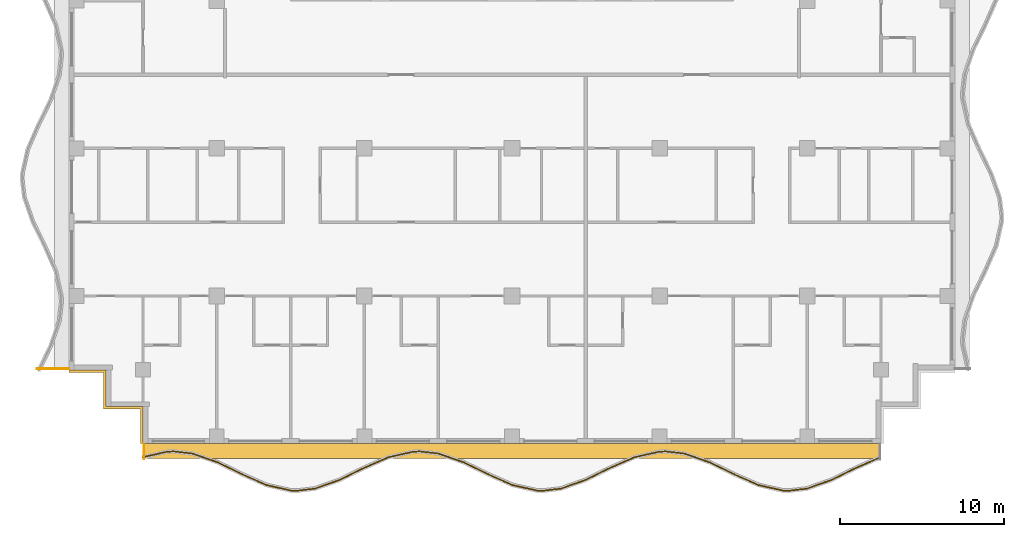
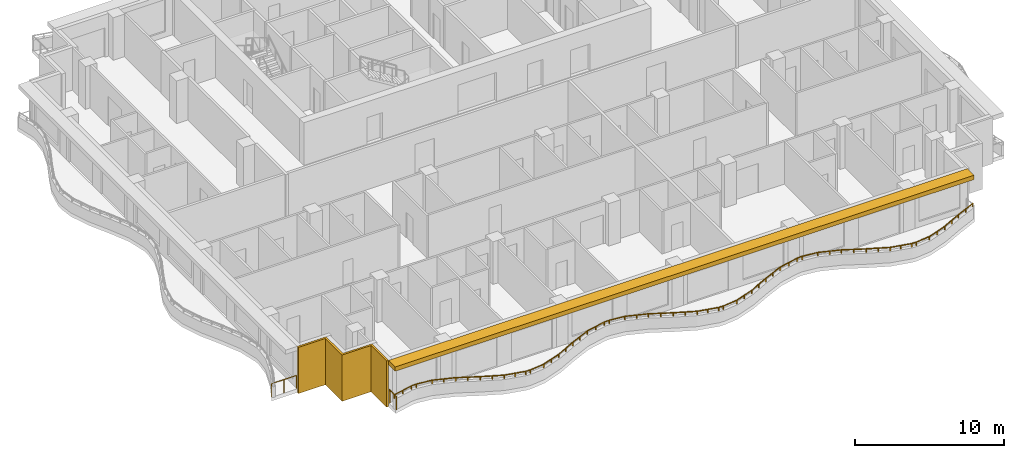
# One storey, part 8 of 11: 3 railings, 2 shading devices.
"""IFC4 building model written with IfcOpenShell, lengths in metres."""

from ifc_helpers import new_model, si_unit, direction, frame, origin, origin_2d, place, context, subcontext, project, spatial, polyline, rectangle, outline, extrude, material, layer, layer_set, type_object, element, save


model = new_model("IFC4")

# Units and contexts
model_context = context("Model", 3, precision=1e-05, world=origin(), true_north=direction((0.0, 1.0)))
body_context = subcontext(model_context, "Body", "Model", "MODEL_VIEW")
ifc_project = project(units=[si_unit("LENGTHUNIT", "METRE"), si_unit("AREAUNIT", "SQUARE_METRE"), si_unit("VOLUMEUNIT", "CUBIC_METRE"), si_unit("PLANEANGLEUNIT", "RADIAN"), si_unit("MASSUNIT", "GRAM", prefix="KILO")], contexts=[model_context])

# Site, building, storey
site_placement = place(None, origin())
site = spatial("IfcSite", under=ifc_project, at=site_placement, CompositionType="ELEMENT")
building_placement = place(site_placement, origin())
building = spatial("IfcBuilding", under=site, at=building_placement, Name="Orbiselva Terraces", CompositionType="ELEMENT")
storey_placement = place(building_placement, frame((0.0, 0.0, 261.6)))
storey = spatial("IfcBuildingStorey", under=building, at=storey_placement, Name="L66", CompositionType="ELEMENT", Elevation=261.6)

# Railings
ifc_material_1 = material(Name="Bonded two-ply safety glass balustrade, stainless steel posts", Category="steel")
railing_type_1 = type_object("IfcRailingType", Name="ENV-BALUSTRADE-1200", PredefinedType="BALUSTRADE", material=ifc_material_1)
railing_1_placement = place(storey_placement, frame((-22.527377, -23.329507, 0.9)))
element("IfcRailing", 1, at=railing_1_placement, inside=storey, type_object=railing_type_1, Name="Balcony balustrade L66 S", PredefinedType="BALUSTRADE", context=body_context, shape_type="SweptSolid", body=[
    extrude(outline(polyline([(0.028868, 0.0), (0.014434, 0.025), (-0.014434, 0.025), (-0.028868, 0.0), (-0.014434, -0.025), (0.014434, -0.025), (0.028868, 0.0)])), frame((0.0, 0.0, 0.275), z_axis=(0.97572138316, 0.219015484484, 0.0), x_axis=(-0.219015484484, 0.97572138316, 0.0)), (0.0, 0.0, 1.0), 1.548694),
    extrude(outline(polyline([(0.028868, 0.0), (0.014434, 0.025), (-0.014434, 0.025), (-0.028868, 0.0), (-0.014434, -0.025), (0.014434, -0.025), (0.028868, 0.0)])), frame((1.511094, 0.339188, 0.275), z_axis=(0.999224734286, 0.03936915532, 0.0), x_axis=(-0.03936915532, 0.999224734286, 0.0)), (0.0, 0.0, 1.0), 0.396376),
    extrude(outline(polyline([(0.028868, 0.0), (0.014434, 0.025), (-0.014434, 0.025), (-0.028868, 0.0), (-0.014434, -0.025), (0.014434, -0.025), (0.028868, 0.0)])), frame((1.907163, 0.354793, 0.275), z_axis=(0.993309551734, -0.115482182324, 0.0), x_axis=(0.115482182324, 0.993309551734, 0.0)), (0.0, 0.0, 1.0), 1.156135),
    extrude(outline(polyline([(0.028868, 0.0), (0.014434, 0.025), (-0.014434, 0.025), (-0.028868, 0.0), (-0.014434, -0.025), (0.014434, -0.025), (0.028868, 0.0)])), frame((3.055563, 0.22128, 0.275), z_axis=(0.943972332783, -0.330024597479, 0.0), x_axis=(0.330024597479, 0.943972332783, 0.0)), (0.0, 0.0, 1.0), 1.610253),
    extrude(outline(polyline([(0.028868, 0.0), (0.014434, 0.025), (-0.014434, 0.025), (-0.028868, 0.0), (-0.014434, -0.025), (0.014434, -0.025), (0.028868, 0.0)])), frame((4.575597, -0.310143, 0.275), z_axis=(0.898578870221, -0.438812048596, 0.0), x_axis=(0.438812048596, 0.898578870221, 0.0)), (0.0, 0.0, 1.0), 1.674225),
    extrude(outline(polyline([(0.028868, 0.0), (0.014434, 0.025), (-0.014434, 0.025), (-0.028868, 0.0), (-0.014434, -0.025), (0.014434, -0.025), (0.028868, 0.0)])), frame((6.08002, -1.044813, 0.275), z_axis=(0.915133363686, -0.403151245402, 0.0), x_axis=(0.403151245402, 0.915133363686, 0.0)), (0.0, 0.0, 1.0), 1.624475),
    extrude(outline(polyline([(0.028868, 0.0), (0.014434, 0.025), (-0.014434, 0.025), (-0.028868, 0.0), (-0.014434, -0.025), (0.014434, -0.025), (0.028868, 0.0)])), frame((7.566631, -1.699722, 0.275), z_axis=(0.975721325753, -0.219015740235, 0.0), x_axis=(0.219015740235, 0.975721325753, 0.0)), (0.0, 0.0, 1.0), 1.513782),
    extrude(outline(polyline([(0.028868, 0.0), (0.014434, 0.025), (-0.014434, 0.025), (-0.028868, 0.0), (-0.014434, -0.025), (0.014434, -0.025), (0.028868, 0.0)])), frame((9.04366, -2.031264, 0.275), z_axis=(0.999224931454, -0.039364150694, 0.0), x_axis=(0.039364150694, 0.999224931454, 0.0)), (0.0, 0.0, 1.0), 0.354206),
    extrude(outline(polyline([(0.028868, 0.0), (0.014434, 0.025), (-0.014434, 0.025), (-0.028868, 0.0), (-0.014434, -0.025), (0.014434, -0.025), (0.028868, 0.0)])), frame((9.397591, -2.045207, 0.275), z_axis=(0.993309658409, 0.115481264762, 0.0), x_axis=(-0.115481264762, 0.993309658409, 0.0)), (0.0, 0.0, 1.0), 1.10902),
    extrude(outline(polyline([(0.028868, 0.0), (0.014434, 0.025), (-0.014434, 0.025), (-0.028868, 0.0), (-0.014434, -0.025), (0.014434, -0.025), (0.028868, 0.0)])), frame((10.499191, -1.917136, 0.275), z_axis=(0.943972277814, 0.330024754707, 0.0), x_axis=(-0.330024754707, 0.943972277814, 0.0)), (0.0, 0.0, 1.0), 1.567807),
    extrude(outline(polyline([(0.028868, 0.0), (0.014434, 0.025), (-0.014434, 0.025), (-0.028868, 0.0), (-0.014434, -0.025), (0.014434, -0.025), (0.028868, 0.0)])), frame((11.979157, -1.399721, 0.275), z_axis=(0.89857890432, 0.438811978768, 0.0), x_axis=(-0.438811978768, 0.89857890432, 0.0)), (0.0, 0.0, 1.0), 1.66438),
    extrude(outline(polyline([(0.028868, 0.0), (0.014434, 0.025), (-0.014434, 0.025), (-0.028868, 0.0), (-0.014434, -0.025), (0.014434, -0.025), (0.028868, 0.0)])), frame((13.474734, -0.669371, 0.275), z_axis=(0.915133527237, 0.403150874148, 0.0), x_axis=(-0.403150874148, 0.915133527237, 0.0)), (0.0, 0.0, 1.0), 1.653736),
    extrude(outline(polyline([(0.028868, 0.0), (0.014434, 0.025), (-0.014434, 0.025), (-0.028868, 0.0), (-0.014434, -0.025), (0.014434, -0.025), (0.028868, 0.0)])), frame((14.988123, -0.002666, 0.275), z_axis=(0.97572137947, 0.219015500924, 0.0), x_axis=(-0.219015500924, 0.97572137947, 0.0)), (0.0, 0.0, 1.0), 1.560867),
    extrude(outline(polyline([(0.028868, 0.0), (0.014434, 0.025), (-0.014434, 0.025), (-0.028868, 0.0), (-0.014434, -0.025), (0.014434, -0.025), (0.028868, 0.0)])), frame((16.511094, 0.339188, 0.275), z_axis=(0.999224734286, 0.03936915532, 0.0), x_axis=(-0.03936915532, 0.999224734286, 0.0)), (0.0, 0.0, 1.0), 0.396376),
    extrude(outline(polyline([(0.028868, 0.0), (0.014434, 0.025), (-0.014434, 0.025), (-0.028868, 0.0), (-0.014434, -0.025), (0.014434, -0.025), (0.028868, 0.0)])), frame((16.907163, 0.354793, 0.275), z_axis=(0.993309551734, -0.115482182324, 0.0), x_axis=(0.115482182324, 0.993309551734, 0.0)), (0.0, 0.0, 1.0), 1.156135),
    extrude(outline(polyline([(0.028868, 0.0), (0.014434, 0.025), (-0.014434, 0.025), (-0.028868, 0.0), (-0.014434, -0.025), (0.014434, -0.025), (0.028868, 0.0)])), frame((18.055563, 0.22128, 0.275), z_axis=(0.943972332783, -0.330024597479, 0.0), x_axis=(0.330024597479, 0.943972332783, 0.0)), (0.0, 0.0, 1.0), 1.610253),
    extrude(outline(polyline([(0.028868, 0.0), (0.014434, 0.025), (-0.014434, 0.025), (-0.028868, 0.0), (-0.014434, -0.025), (0.014434, -0.025), (0.028868, 0.0)])), frame((19.575597, -0.310143, 0.275), z_axis=(0.898578870221, -0.438812048596, 0.0), x_axis=(0.438812048596, 0.898578870221, 0.0)), (0.0, 0.0, 1.0), 1.674225),
    extrude(outline(polyline([(0.028868, 0.0), (0.014434, 0.025), (-0.014434, 0.025), (-0.028868, 0.0), (-0.014434, -0.025), (0.014434, -0.025), (0.028868, 0.0)])), frame((21.08002, -1.044813, 0.275), z_axis=(0.915133363686, -0.403151245402, 0.0), x_axis=(0.403151245402, 0.915133363686, 0.0)), (0.0, 0.0, 1.0), 1.624475),
    extrude(outline(polyline([(0.028868, 0.0), (0.014434, 0.025), (-0.014434, 0.025), (-0.028868, 0.0), (-0.014434, -0.025), (0.014434, -0.025), (0.028868, 0.0)])), frame((22.566631, -1.699722, 0.275), z_axis=(0.975721325753, -0.219015740235, 0.0), x_axis=(0.219015740235, 0.975721325753, 0.0)), (0.0, 0.0, 1.0), 1.513782),
    extrude(outline(polyline([(0.028868, 0.0), (0.014434, 0.025), (-0.014434, 0.025), (-0.028868, 0.0), (-0.014434, -0.025), (0.014434, -0.025), (0.028868, 0.0)])), frame((24.04366, -2.031264, 0.275), z_axis=(0.999224931454, -0.039364150694, 0.0), x_axis=(0.039364150694, 0.999224931454, 0.0)), (0.0, 0.0, 1.0), 0.354206),
    extrude(outline(polyline([(0.028868, 0.0), (0.014434, 0.025), (-0.014434, 0.025), (-0.028868, 0.0), (-0.014434, -0.025), (0.014434, -0.025), (0.028868, 0.0)])), frame((24.397591, -2.045207, 0.275), z_axis=(0.993309658409, 0.115481264762, 0.0), x_axis=(-0.115481264762, 0.993309658409, 0.0)), (0.0, 0.0, 1.0), 1.10902),
    extrude(outline(polyline([(0.028868, 0.0), (0.014434, 0.025), (-0.014434, 0.025), (-0.028868, 0.0), (-0.014434, -0.025), (0.014434, -0.025), (0.028868, 0.0)])), frame((25.499191, -1.917136, 0.275), z_axis=(0.943972277814, 0.330024754707, 0.0), x_axis=(-0.330024754707, 0.943972277814, 0.0)), (0.0, 0.0, 1.0), 1.567807),
    extrude(outline(polyline([(0.028868, 0.0), (0.014434, 0.025), (-0.014434, 0.025), (-0.028868, 0.0), (-0.014434, -0.025), (0.014434, -0.025), (0.028868, 0.0)])), frame((26.979157, -1.399721, 0.275), z_axis=(0.89857890432, 0.438811978768, 0.0), x_axis=(-0.438811978768, 0.89857890432, 0.0)), (0.0, 0.0, 1.0), 1.66438),
    extrude(outline(polyline([(0.028868, 0.0), (0.014434, 0.025), (-0.014434, 0.025), (-0.028868, 0.0), (-0.014434, -0.025), (0.014434, -0.025), (0.028868, 0.0)])), frame((28.474734, -0.669371, 0.275), z_axis=(0.915133527237, 0.403150874148, 0.0), x_axis=(-0.403150874148, 0.915133527237, 0.0)), (0.0, 0.0, 1.0), 1.653736),
    extrude(outline(polyline([(0.028868, 0.0), (0.014434, 0.025), (-0.014434, 0.025), (-0.028868, 0.0), (-0.014434, -0.025), (0.014434, -0.025), (0.028868, 0.0)])), frame((29.988123, -0.002666, 0.275), z_axis=(0.97572137947, 0.219015500924, 0.0), x_axis=(-0.219015500924, 0.97572137947, 0.0)), (0.0, 0.0, 1.0), 1.560867),
    extrude(outline(polyline([(0.028868, 0.0), (0.014434, 0.025), (-0.014434, 0.025), (-0.028868, 0.0), (-0.014434, -0.025), (0.014434, -0.025), (0.028868, 0.0)])), frame((31.511094, 0.339188, 0.275), z_axis=(0.999224734286, 0.03936915532, 0.0), x_axis=(-0.03936915532, 0.999224734286, 0.0)), (0.0, 0.0, 1.0), 0.396376),
    extrude(outline(polyline([(0.028868, 0.0), (0.014434, 0.025), (-0.014434, 0.025), (-0.028868, 0.0), (-0.014434, -0.025), (0.014434, -0.025), (0.028868, 0.0)])), frame((31.907163, 0.354793, 0.275), z_axis=(0.993309551734, -0.115482182324, 0.0), x_axis=(0.115482182324, 0.993309551734, 0.0)), (0.0, 0.0, 1.0), 1.156135),
    extrude(outline(polyline([(0.028868, 0.0), (0.014434, 0.025), (-0.014434, 0.025), (-0.028868, 0.0), (-0.014434, -0.025), (0.014434, -0.025), (0.028868, 0.0)])), frame((33.055563, 0.22128, 0.275), z_axis=(0.943972332783, -0.330024597479, 0.0), x_axis=(0.330024597479, 0.943972332783, 0.0)), (0.0, 0.0, 1.0), 1.610253),
    extrude(outline(polyline([(0.028868, 0.0), (0.014434, 0.025), (-0.014434, 0.025), (-0.028868, 0.0), (-0.014434, -0.025), (0.014434, -0.025), (0.028868, 0.0)])), frame((34.575597, -0.310143, 0.275), z_axis=(0.898578870221, -0.438812048596, 0.0), x_axis=(0.438812048596, 0.898578870221, 0.0)), (0.0, 0.0, 1.0), 1.674225),
    extrude(outline(polyline([(0.028868, 0.0), (0.014434, 0.025), (-0.014434, 0.025), (-0.028868, 0.0), (-0.014434, -0.025), (0.014434, -0.025), (0.028868, 0.0)])), frame((36.08002, -1.044813, 0.275), z_axis=(0.915133363686, -0.403151245402, 0.0), x_axis=(0.403151245402, 0.915133363686, 0.0)), (0.0, 0.0, 1.0), 1.624475),
    extrude(outline(polyline([(0.028868, 0.0), (0.014434, 0.025), (-0.014434, 0.025), (-0.028868, 0.0), (-0.014434, -0.025), (0.014434, -0.025), (0.028868, 0.0)])), frame((37.566631, -1.699722, 0.275), z_axis=(0.975721325753, -0.219015740235, 0.0), x_axis=(0.219015740235, 0.975721325753, 0.0)), (0.0, 0.0, 1.0), 1.513782),
    extrude(outline(polyline([(0.028868, 0.0), (0.014434, 0.025), (-0.014434, 0.025), (-0.028868, 0.0), (-0.014434, -0.025), (0.014434, -0.025), (0.028868, 0.0)])), frame((39.04366, -2.031264, 0.275), z_axis=(0.999224931454, -0.039364150694, 0.0), x_axis=(0.039364150694, 0.999224931454, 0.0)), (0.0, 0.0, 1.0), 0.354206),
    extrude(outline(polyline([(0.028868, 0.0), (0.014434, 0.025), (-0.014434, 0.025), (-0.028868, 0.0), (-0.014434, -0.025), (0.014434, -0.025), (0.028868, 0.0)])), frame((39.397591, -2.045207, 0.275), z_axis=(0.993309658409, 0.115481264762, 0.0), x_axis=(-0.115481264762, 0.993309658409, 0.0)), (0.0, 0.0, 1.0), 1.10902),
    extrude(outline(polyline([(0.028868, 0.0), (0.014434, 0.025), (-0.014434, 0.025), (-0.028868, 0.0), (-0.014434, -0.025), (0.014434, -0.025), (0.028868, 0.0)])), frame((40.499191, -1.917136, 0.275), z_axis=(0.943972277814, 0.330024754707, 0.0), x_axis=(-0.330024754707, 0.943972277814, 0.0)), (0.0, 0.0, 1.0), 1.567807),
    extrude(outline(polyline([(0.028868, 0.0), (0.014434, 0.025), (-0.014434, 0.025), (-0.028868, 0.0), (-0.014434, -0.025), (0.014434, -0.025), (0.028868, 0.0)])), frame((41.979157, -1.399721, 0.275), z_axis=(0.89857890432, 0.438811978768, 0.0), x_axis=(-0.438811978768, 0.89857890432, 0.0)), (0.0, 0.0, 1.0), 1.66438),
    extrude(outline(polyline([(0.028868, 0.0), (0.014434, 0.025), (-0.014434, 0.025), (-0.028868, 0.0), (-0.014434, -0.025), (0.014434, -0.025), (0.028868, 0.0)])), frame((43.474734, -0.669371, 0.275), z_axis=(0.915133394491, 0.403151175476, 0.0), x_axis=(-0.403151175476, 0.915133394491, 0.0)), (0.0, 0.0, 1.0), 1.641563),
    extrude(rectangle(XDim=0.05, YDim=0.05, at=origin_2d()), origin(), (0.0, 0.0, 1.0), 0.25),
    extrude(rectangle(XDim=0.05, YDim=0.05, at=origin_2d()), frame((0.755547, 0.169594, 0.0)), (0.0, 0.0, 1.0), 0.25),
    extrude(rectangle(XDim=0.05, YDim=0.05, at=origin_2d()), frame((1.511094, 0.339188, 0.0)), (0.0, 0.0, 1.0), 0.25),
    extrude(rectangle(XDim=0.05, YDim=0.05, at=origin_2d()), frame((1.907163, 0.354793, 0.0)), (0.0, 0.0, 1.0), 0.25),
    extrude(rectangle(XDim=0.05, YDim=0.05, at=origin_2d()), frame((3.055563, 0.22128, 0.0)), (0.0, 0.0, 1.0), 0.25),
    extrude(rectangle(XDim=0.05, YDim=0.05, at=origin_2d()), frame((3.81558, -0.044431, 0.0)), (0.0, 0.0, 1.0), 0.25),
    extrude(rectangle(XDim=0.05, YDim=0.05, at=origin_2d()), frame((4.575597, -0.310143, 0.0)), (0.0, 0.0, 1.0), 0.25),
    extrude(rectangle(XDim=0.05, YDim=0.05, at=origin_2d()), frame((5.327809, -0.677478, 0.0)), (0.0, 0.0, 1.0), 0.25),
    extrude(rectangle(XDim=0.05, YDim=0.05, at=origin_2d()), frame((6.08002, -1.044813, 0.0)), (0.0, 0.0, 1.0), 0.25),
    extrude(rectangle(XDim=0.05, YDim=0.05, at=origin_2d()), frame((6.823326, -1.372268, 0.0)), (0.0, 0.0, 1.0), 0.25),
    extrude(rectangle(XDim=0.05, YDim=0.05, at=origin_2d()), frame((7.566631, -1.699722, 0.0)), (0.0, 0.0, 1.0), 0.25),
    extrude(rectangle(XDim=0.05, YDim=0.05, at=origin_2d()), frame((8.305146, -1.865493, 0.0)), (0.0, 0.0, 1.0), 0.25),
    extrude(rectangle(XDim=0.05, YDim=0.05, at=origin_2d()), frame((9.04366, -2.031264, 0.0)), (0.0, 0.0, 1.0), 0.25),
    extrude(rectangle(XDim=0.05, YDim=0.05, at=origin_2d()), frame((9.397591, -2.045207, 0.0)), (0.0, 0.0, 1.0), 0.25),
    extrude(rectangle(XDim=0.05, YDim=0.05, at=origin_2d()), frame((10.499191, -1.917136, 0.0)), (0.0, 0.0, 1.0), 0.25),
    extrude(rectangle(XDim=0.05, YDim=0.05, at=origin_2d()), frame((11.239174, -1.658428, 0.0)), (0.0, 0.0, 1.0), 0.25),
    extrude(rectangle(XDim=0.05, YDim=0.05, at=origin_2d()), frame((11.979157, -1.399721, 0.0)), (0.0, 0.0, 1.0), 0.25),
    extrude(rectangle(XDim=0.05, YDim=0.05, at=origin_2d()), frame((12.726946, -1.034546, 0.0)), (0.0, 0.0, 1.0), 0.25),
    extrude(rectangle(XDim=0.05, YDim=0.05, at=origin_2d()), frame((13.474734, -0.669371, 0.0)), (0.0, 0.0, 1.0), 0.25),
    extrude(rectangle(XDim=0.05, YDim=0.05, at=origin_2d()), frame((14.231429, -0.336019, 0.0)), (0.0, 0.0, 1.0), 0.25),
    extrude(rectangle(XDim=0.05, YDim=0.05, at=origin_2d()), frame((14.988123, -0.002666, 0.0)), (0.0, 0.0, 1.0), 0.25),
    extrude(rectangle(XDim=0.05, YDim=0.05, at=origin_2d()), frame((15.749608, 0.168261, 0.0)), (0.0, 0.0, 1.0), 0.25),
    extrude(rectangle(XDim=0.05, YDim=0.05, at=origin_2d()), frame((16.511094, 0.339188, 0.0)), (0.0, 0.0, 1.0), 0.25),
    extrude(rectangle(XDim=0.05, YDim=0.05, at=origin_2d()), frame((16.907163, 0.354793, 0.0)), (0.0, 0.0, 1.0), 0.25),
    extrude(rectangle(XDim=0.05, YDim=0.05, at=origin_2d()), frame((18.055563, 0.22128, 0.0)), (0.0, 0.0, 1.0), 0.25),
    extrude(rectangle(XDim=0.05, YDim=0.05, at=origin_2d()), frame((18.81558, -0.044431, 0.0)), (0.0, 0.0, 1.0), 0.25),
    extrude(rectangle(XDim=0.05, YDim=0.05, at=origin_2d()), frame((19.575597, -0.310143, 0.0)), (0.0, 0.0, 1.0), 0.25),
    extrude(rectangle(XDim=0.05, YDim=0.05, at=origin_2d()), frame((20.327809, -0.677478, 0.0)), (0.0, 0.0, 1.0), 0.25),
    extrude(rectangle(XDim=0.05, YDim=0.05, at=origin_2d()), frame((21.08002, -1.044813, 0.0)), (0.0, 0.0, 1.0), 0.25),
    extrude(rectangle(XDim=0.05, YDim=0.05, at=origin_2d()), frame((21.823326, -1.372268, 0.0)), (0.0, 0.0, 1.0), 0.25),
    extrude(rectangle(XDim=0.05, YDim=0.05, at=origin_2d()), frame((22.566631, -1.699722, 0.0)), (0.0, 0.0, 1.0), 0.25),
    extrude(rectangle(XDim=0.05, YDim=0.05, at=origin_2d()), frame((23.305146, -1.865493, 0.0)), (0.0, 0.0, 1.0), 0.25),
    extrude(rectangle(XDim=0.05, YDim=0.05, at=origin_2d()), frame((24.04366, -2.031264, 0.0)), (0.0, 0.0, 1.0), 0.25),
    extrude(rectangle(XDim=0.05, YDim=0.05, at=origin_2d()), frame((24.397591, -2.045207, 0.0)), (0.0, 0.0, 1.0), 0.25),
    extrude(rectangle(XDim=0.05, YDim=0.05, at=origin_2d()), frame((25.499191, -1.917136, 0.0)), (0.0, 0.0, 1.0), 0.25),
    extrude(rectangle(XDim=0.05, YDim=0.05, at=origin_2d()), frame((26.239174, -1.658428, 0.0)), (0.0, 0.0, 1.0), 0.25),
    extrude(rectangle(XDim=0.05, YDim=0.05, at=origin_2d()), frame((26.979157, -1.399721, 0.0)), (0.0, 0.0, 1.0), 0.25),
    extrude(rectangle(XDim=0.05, YDim=0.05, at=origin_2d()), frame((27.726946, -1.034546, 0.0)), (0.0, 0.0, 1.0), 0.25),
    extrude(rectangle(XDim=0.05, YDim=0.05, at=origin_2d()), frame((28.474734, -0.669371, 0.0)), (0.0, 0.0, 1.0), 0.25),
    extrude(rectangle(XDim=0.05, YDim=0.05, at=origin_2d()), frame((29.231428, -0.336019, 0.0)), (0.0, 0.0, 1.0), 0.25),
    extrude(rectangle(XDim=0.05, YDim=0.05, at=origin_2d()), frame((29.988123, -0.002666, 0.0)), (0.0, 0.0, 1.0), 0.25),
    extrude(rectangle(XDim=0.05, YDim=0.05, at=origin_2d()), frame((30.749608, 0.168261, 0.0)), (0.0, 0.0, 1.0), 0.25),
    extrude(rectangle(XDim=0.05, YDim=0.05, at=origin_2d()), frame((31.511094, 0.339188, 0.0)), (0.0, 0.0, 1.0), 0.25),
    extrude(rectangle(XDim=0.05, YDim=0.05, at=origin_2d()), frame((31.907163, 0.354793, 0.0)), (0.0, 0.0, 1.0), 0.25),
    extrude(rectangle(XDim=0.05, YDim=0.05, at=origin_2d()), frame((33.055563, 0.22128, 0.0)), (0.0, 0.0, 1.0), 0.25),
    extrude(rectangle(XDim=0.05, YDim=0.05, at=origin_2d()), frame((33.81558, -0.044431, 0.0)), (0.0, 0.0, 1.0), 0.25),
    extrude(rectangle(XDim=0.05, YDim=0.05, at=origin_2d()), frame((34.575597, -0.310143, 0.0)), (0.0, 0.0, 1.0), 0.25),
    extrude(rectangle(XDim=0.05, YDim=0.05, at=origin_2d()), frame((35.327808, -0.677478, 0.0)), (0.0, 0.0, 1.0), 0.25),
    extrude(rectangle(XDim=0.05, YDim=0.05, at=origin_2d()), frame((36.08002, -1.044813, 0.0)), (0.0, 0.0, 1.0), 0.25),
    extrude(rectangle(XDim=0.05, YDim=0.05, at=origin_2d()), frame((36.823326, -1.372268, 0.0)), (0.0, 0.0, 1.0), 0.25),
    extrude(rectangle(XDim=0.05, YDim=0.05, at=origin_2d()), frame((37.566631, -1.699722, 0.0)), (0.0, 0.0, 1.0), 0.25),
    extrude(rectangle(XDim=0.05, YDim=0.05, at=origin_2d()), frame((38.305146, -1.865493, 0.0)), (0.0, 0.0, 1.0), 0.25),
    extrude(rectangle(XDim=0.05, YDim=0.05, at=origin_2d()), frame((39.04366, -2.031264, 0.0)), (0.0, 0.0, 1.0), 0.25),
    extrude(rectangle(XDim=0.05, YDim=0.05, at=origin_2d()), frame((39.397591, -2.045207, 0.0)), (0.0, 0.0, 1.0), 0.25),
    extrude(rectangle(XDim=0.05, YDim=0.05, at=origin_2d()), frame((40.499191, -1.917136, 0.0)), (0.0, 0.0, 1.0), 0.25),
    extrude(rectangle(XDim=0.05, YDim=0.05, at=origin_2d()), frame((41.239174, -1.658428, 0.0)), (0.0, 0.0, 1.0), 0.25),
    extrude(rectangle(XDim=0.05, YDim=0.05, at=origin_2d()), frame((41.979157, -1.399721, 0.0)), (0.0, 0.0, 1.0), 0.25),
    extrude(rectangle(XDim=0.05, YDim=0.05, at=origin_2d()), frame((42.726946, -1.034546, 0.0)), (0.0, 0.0, 1.0), 0.25),
    extrude(rectangle(XDim=0.05, YDim=0.05, at=origin_2d()), frame((43.474734, -0.669371, 0.0)), (0.0, 0.0, 1.0), 0.25),
    extrude(rectangle(XDim=0.05, YDim=0.05, at=origin_2d()), frame((44.225858, -0.338472, 0.0)), (0.0, 0.0, 1.0), 0.25),
    extrude(rectangle(XDim=0.05, YDim=0.05, at=origin_2d()), frame((44.976983, -0.007573, 0.0)), (0.0, 0.0, 1.0), 0.25),
])
ifc_material_2 = material(Name="Stainless steel rail and posts", Category="steel")
railing_type_2 = type_object("IfcRailingType", Name="ENV-GUARD-1105", PredefinedType="BALUSTRADE", material=ifc_material_2)
railing_2_placement = place(storey_placement, frame((-22.44, -23.430416, 0.0)))
element("IfcRailing", 2, at=railing_2_placement, inside=storey, type_object=railing_type_2, Name="Balcony end guard L66 S", PredefinedType="BALUSTRADE", context=body_context, shape_type="SweptSolid", body=[
    extrude(outline(polyline([(0.028868, 0.0), (0.014434, 0.025), (-0.014434, 0.025), (-0.028868, 0.0), (-0.014434, -0.025), (0.014434, -0.025), (0.028868, 0.0)])), frame((0.0, 0.0, 1.08), z_axis=(0.0, 1.0, 0.0), x_axis=(-1.0, 0.0, 0.0)), (0.0, 0.0, 1.0), 0.905416),
    extrude(rectangle(XDim=0.05, YDim=0.05, at=origin_2d()), origin(), (0.0, 0.0, 1.0), 1.055),
    extrude(rectangle(XDim=0.05, YDim=0.05, at=origin_2d()), frame((0.0, 0.905416, 0.0)), (0.0, 0.0, 1.0), 1.055),
])
railing_3_placement = place(storey_placement, frame((-28.957877, -17.94, 0.0)))
element("IfcRailing", 3, at=railing_3_placement, inside=storey, type_object=railing_type_2, Name="Balcony end guard L66 W", PredefinedType="BALUSTRADE", context=body_context, shape_type="SweptSolid", body=[
    extrude(outline(polyline([(0.028868, 0.0), (0.014434, 0.025), (-0.014434, 0.025), (-0.028868, 0.0), (-0.014434, -0.025), (0.014434, -0.025), (0.028868, 0.0)])), frame((0.0, 0.0, 1.08), z_axis=(1.0, 0.0, 0.0), x_axis=(0.0, 1.0, 0.0)), (0.0, 0.0, 1.0), 1.932877),
    extrude(rectangle(XDim=0.05, YDim=0.05, at=origin_2d()), origin(), (0.0, 0.0, 1.0), 1.055),
    extrude(rectangle(XDim=0.05, YDim=0.05, at=origin_2d()), frame((0.966439, 0.0, 0.0)), (0.0, 0.0, 1.0), 1.055),
    extrude(rectangle(XDim=0.05, YDim=0.05, at=origin_2d()), frame((1.932877, 0.0, 0.0)), (0.0, 0.0, 1.0), 1.055),
])

# Shading devices
ifc_material_3 = material(Name="Terracotta louvre screen", Category="masonry")
ifc_layer_1 = layer(ifc_material_3, 0.15)
ifc_layer_set_1 = layer_set([ifc_layer_1], Name="Terracotta louvre screen")
shading_device_type_1 = type_object("IfcShadingDeviceType", Name="ENV-SCREEN-150", PredefinedType="USERDEFINED", material=ifc_layer_set_1)
shading_device_1_placement = place(storey_placement, frame((0.0, 0.0, -0.3)))
element("IfcShadingDevice", 4, at=shading_device_1_placement, inside=storey, type_object=shading_device_type_1, Name="Louvre screen L66 SW", ObjectType="SCREEN", PredefinedType="USERDEFINED", context=body_context, shape_type="SweptSolid", body=[
    extrude(outline(polyline([(-27.0, -18.15), (-24.9, -18.15), (-24.9, -20.4), (-22.65, -20.4), (-22.65, -22.5), (-22.5, -22.5), (-22.5, -20.25), (-24.75, -20.25), (-24.75, -18.0), (-27.0, -18.0), (-27.0, -18.15)])), origin(), (0.0, 0.0, 1.0), 3.8),
])
ifc_material_4 = material(Name="Terracotta baguette sunshade", Category="masonry")
ifc_layer_2 = layer(ifc_material_4, 0.35)
ifc_layer_set_2 = layer_set([ifc_layer_2], Name="Terracotta baguette sunshade")
shading_device_type_2 = type_object("IfcShadingDeviceType", Name="ENV-SUNSHADE-900x350", PredefinedType="USERDEFINED", material=ifc_layer_set_2)
shading_device_2_placement = place(storey_placement, frame((0.0, 0.0, 3.15)))
element("IfcShadingDevice", 5, at=shading_device_2_placement, inside=storey, type_object=shading_device_type_2, Name="Sunshade band L66 S", ObjectType="SUNSHADE", PredefinedType="USERDEFINED", context=body_context, shape_type="SweptSolid", body=[
    extrude(outline(polyline([(-22.5, -23.4), (22.5, -23.4), (22.5, -22.5), (-22.5, -22.5), (-22.5, -23.4)])), origin(), (0.0, 0.0, 1.0), 0.35),
])

save(model, "model.ifc")
